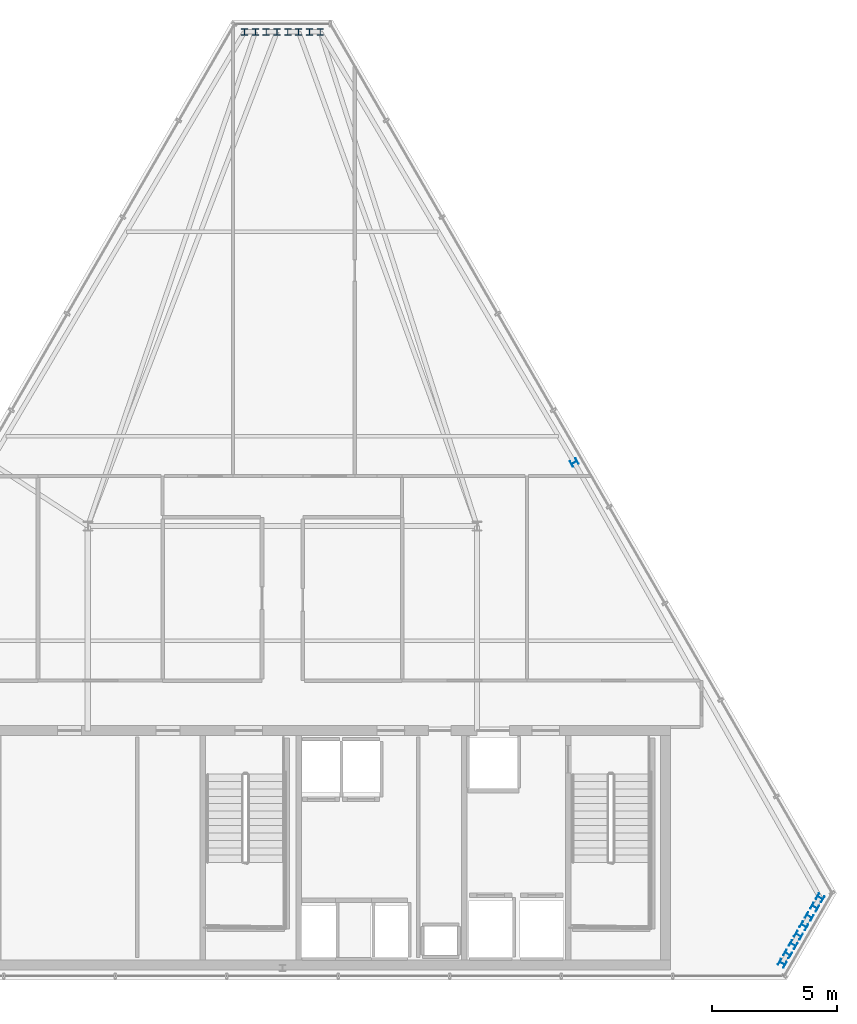
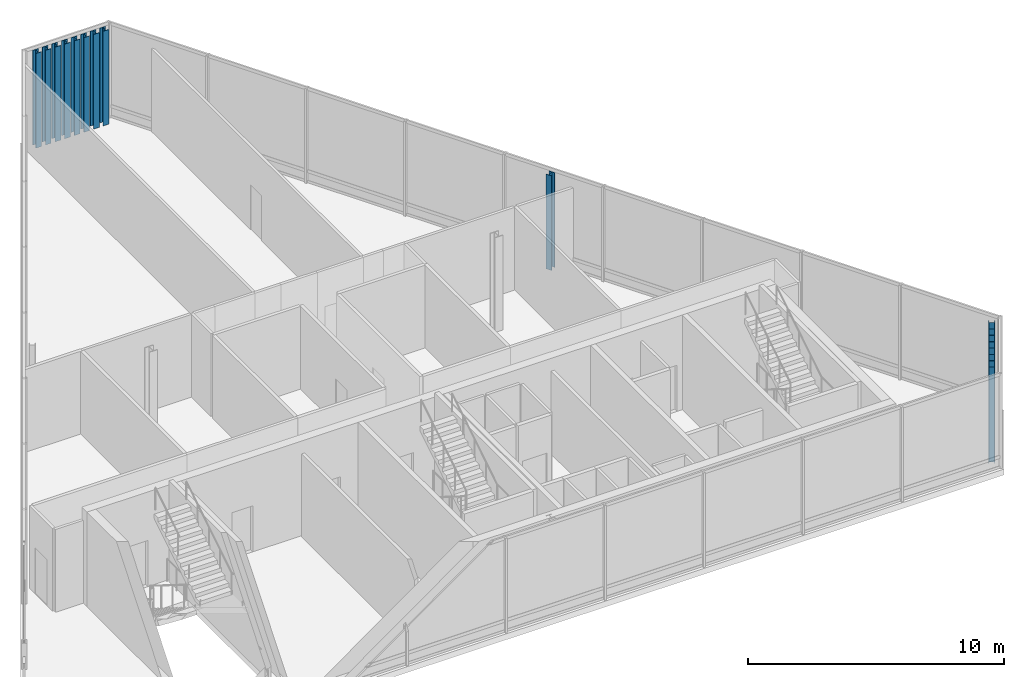
# One storey, part 2 of 25: 17 columns.
"""IFC4 building model written with IfcOpenShell, lengths in metres."""

from ifc_helpers import new_model, si_unit, direction, frame, origin, origin_2d, place, context, subcontext, project, spatial, i_section, extrude, material, material_profile, profile_set, type_object, element, save


model = new_model("IFC4")

# Units and contexts
model_context = context("Model", 3, precision=1e-05, world=origin(), true_north=direction((0.0, 1.0)))
body_context = subcontext(model_context, "Body", "Model", "MODEL_VIEW")
ifc_project = project(units=[si_unit("LENGTHUNIT", "METRE"), si_unit("AREAUNIT", "SQUARE_METRE"), si_unit("VOLUMEUNIT", "CUBIC_METRE"), si_unit("PLANEANGLEUNIT", "RADIAN"), si_unit("MASSUNIT", "GRAM", prefix="KILO")], contexts=[model_context])

# Site, building, storey
site_placement = place(None, origin())
site = spatial("IfcSite", under=ifc_project, at=site_placement, CompositionType="ELEMENT")
building_placement = place(site_placement, origin())
building = spatial("IfcBuilding", under=site, at=building_placement, Name="Ndaravel Arena Tower", CompositionType="ELEMENT")
storey_placement = place(building_placement, frame((0.0, 0.0, 298.5)))
storey = spatial("IfcBuildingStorey", under=building, at=storey_placement, Name="L73", CompositionType="ELEMENT", Elevation=298.5)

# Columns
ifc_material = material(Name="Steel S355", Category="steel")
ifc_material_profile = material_profile(ifc_material, i_section(OverallWidth=0.2587890625, OverallDepth=0.2666015625, WebThickness=0.0126953125, FlangeThickness=0.0205078125, FilletRadius=0.0126953125, at=origin_2d()), Name="UC 254x254x107")
ifc_profile_set = profile_set([ifc_material_profile], Name="Steel S355")
column_type = type_object("IfcColumnType", Name="COL-CRN-UC107", PredefinedType="COLUMN", material=ifc_profile_set)
for number, where, z_axis, x_axis, name in (
    (1, (62.038818359375, 5.667724609375, 0.0), (0.0, 0.0, 1.0), (0.5, 0.866025403784, 0.0), "L73 Framed Tube Column TC-02"),
    (2, (62.255615234375, 6.04345703125, 0.0), (0.0, 0.0, 1.0), (0.5, 0.866025403784, 0.0), "L73 Framed Tube Column TC-03"),
    (3, (62.472412109375, 6.419189453125, 0.0), (0.0, 0.0, 1.0), (0.5, 0.866025403784, 0.0), "L73 Framed Tube Column TC-04"),
    (4, (62.689453125, 6.794921875, 0.0), (0.0, 0.0, 1.0), (0.5, 0.866025403784, 0.0), "L73 Framed Tube Column TC-05"),
    (5, (62.90625, 7.17041015625, 0.0), (0.0, 0.0, 1.0), (0.5, 0.866025403784, 0.0), "L73 Framed Tube Column TC-06"),
    (6, (63.123046875, 7.546142578125, 0.0), (0.0, 0.0, 1.0), (0.5, 0.866025403784, 0.0), "L73 Framed Tube Column TC-07"),
    (7, (63.340087890625, 7.921630859375, 0.0), (0.0, 0.0, 1.0), (0.5, 0.866025403784, 0.0), "L73 Framed Tube Column TC-08"),
    (8, (63.556884765625, 8.29736328125, 0.0), (0.0, 0.0, 1.0), (0.5, 0.866025403784, 0.0), "L73 Framed Tube Column TC-09"),
    (9, (53.7001953125, 25.745361328125, 0.0), (0.0, 0.0, 1.0), (-0.5, 0.866025403784, 0.0), "L73 Framed Tube Column TC-10"),
    (10, (43.518310546875, 43.00537109375, 0.0), (0.0, 0.0, 1.0), (1.0, 0.0, 0.0), "L73 Framed Tube Column TC-11"),
    (11, (43.08447265625, 43.00537109375, 0.0), (0.0, 0.0, 1.0), (1.0, 0.0, 0.0), "L73 Framed Tube Column TC-12"),
    (12, (42.650634765625, 43.00537109375, 0.0), (0.0, 0.0, 1.0), (1.0, 0.0, 0.0), "L73 Framed Tube Column TC-13"),
    (13, (42.216796875, 43.00537109375, 0.0), (0.0, 0.0, 1.0), (1.0, 0.0, 0.0), "L73 Framed Tube Column TC-14"),
    (14, (41.783203125, 43.00537109375, 0.0), (0.0, 0.0, 1.0), (1.0, 0.0, 0.0), "L73 Framed Tube Column TC-15"),
    (15, (41.349365234375, 43.00537109375, 0.0), (0.0, 0.0, 1.0), (1.0, 0.0, 0.0), "L73 Framed Tube Column TC-16"),
    (16, (40.91552734375, 43.00537109375, 0.0), (0.0, 0.0, 1.0), (1.0, 0.0, 0.0), "L73 Framed Tube Column TC-17"),
    (17, (40.481689453125, 43.00537109375, 0.0), (0.0, 0.0, 1.0), (1.0, 0.0, 0.0), "L73 Framed Tube Column TC-18"),
):
    element("IfcColumn", number, at=place(storey_placement, frame(where, z_axis=z_axis, x_axis=x_axis)), inside=storey, type_object=column_type, Name=name, PredefinedType="COLUMN", context=body_context, shape_type="SweptSolid", body=[
        extrude(i_section(OverallWidth=0.2587890625, OverallDepth=0.2666015625, WebThickness=0.0126953125, FlangeThickness=0.0205078125, FilletRadius=0.0126953125, at=origin_2d()), origin(), (0.0, 0.0, 1.0), 4.52001953125),
    ])

save(model, "model.ifc")
